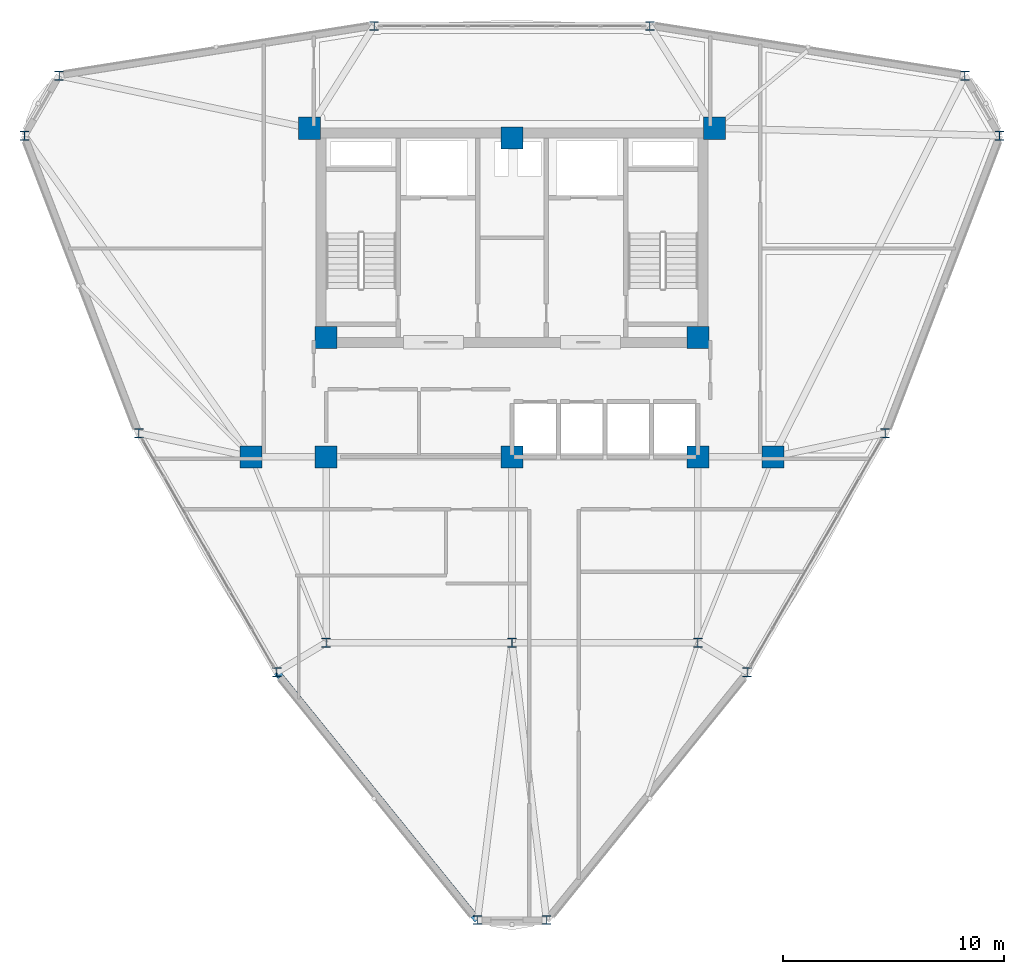
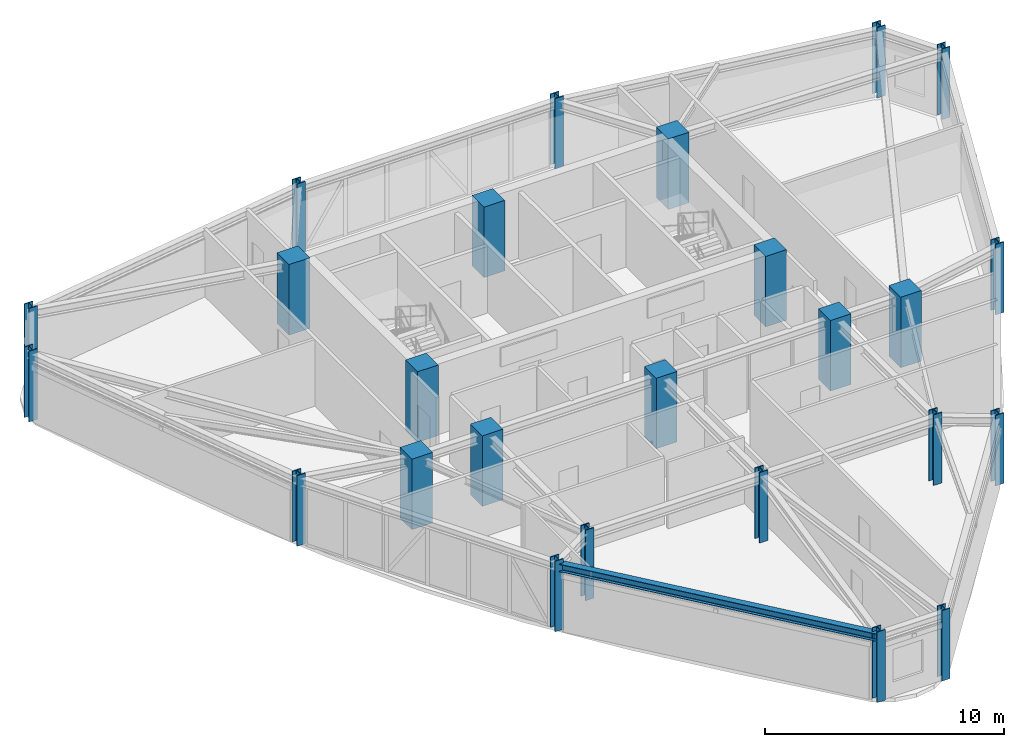
# One storey, part 1 of 14: 25 columns, 1 beam.
"""IFC4 building model written with IfcOpenShell, lengths in metres."""

from ifc_helpers import new_model, si_unit, derived_unit, direction, frame, origin, origin_2d, place, context, subcontext, project, spatial, rectangle, i_section, extrude, source, transform, mapped, material, material_profile, profile_set, type_object, element, save


model = new_model("IFC4")

# Units and contexts
model_context = context("Model", 3, precision=1e-05, world=origin(), true_north=direction((0.0, 1.0)))
body_context = subcontext(model_context, "Body", "Model", "MODEL_VIEW")
ifc_project = project(units=[si_unit("LENGTHUNIT", "METRE"), si_unit("AREAUNIT", "SQUARE_METRE"), si_unit("VOLUMEUNIT", "CUBIC_METRE"), si_unit("PLANEANGLEUNIT", "RADIAN"), si_unit("MASSUNIT", "GRAM", prefix="KILO"), derived_unit("THERMALTRANSMITTANCEUNIT", [(si_unit("POWERUNIT", "WATT"), 1), (si_unit("LENGTHUNIT", "METRE"), -2), (si_unit("THERMODYNAMICTEMPERATUREUNIT", "KELVIN"), -1)])], contexts=[model_context])

# Site, building, storey
site_placement = place(None, origin())
site = spatial("IfcSite", under=ifc_project, at=site_placement, CompositionType="ELEMENT")
building_placement = place(site_placement, origin())
building = spatial("IfcBuilding", under=site, at=building_placement, Name="Korsvarv Bourse and Concert Hall", CompositionType="ELEMENT")
storey_placement = place(building_placement, frame((0.0, 0.0, 190.199951171875)))
storey = spatial("IfcBuildingStorey", under=building, at=storey_placement, Name="L49", CompositionType="ELEMENT", Elevation=190.199951171875)

# Columns
ifc_material_1 = material(Name="Steel S355", Category="steel")
ifc_material_profile_1 = material_profile(ifc_material_1, i_section(OverallWidth=0.412109375, OverallDepth=0.43505859375, WebThickness=0.032958984375, FlangeThickness=0.052978515625, FilletRadius=0.014892578125, at=origin_2d()), Name="HD 400x463")
ifc_profile_set_1 = profile_set([ifc_material_profile_1], Name="Steel S355")
column_type_1 = type_object("IfcColumnType", Name="COL-HD463", PredefinedType="COLUMN", material=ifc_profile_set_1)
shared_shape_1 = source(origin(), body_context, "Body", "SweptSolid", [
    extrude(i_section(OverallWidth=0.412109375, OverallDepth=0.43505859375, WebThickness=0.032958984375, FlangeThickness=0.052978515625, FilletRadius=0.014892578125, at=origin_2d()), origin(), (0.0, 0.0, 1.0), 3.60009765625),
])
for number, where, z_axis, x_axis, name in (
    (1, (27.60009765625, 24.0, 0.0), (0.0, 0.0, 1.0), (1.0, 0.0, 0.0), "L49 column C-09"),
    (2, (44.39990234375, 24.0, 0.0), (0.0, 0.0, 1.0), (1.0, 0.0, 0.0), "L49 column C-09"),
    (3, (36.0, 24.0, 0.0), (0.0, 0.0, 1.0), (1.0, 0.0, 0.0), "L49 column C-09"),
):
    element("IfcColumn", number, at=place(storey_placement, frame(where, z_axis=z_axis, x_axis=x_axis)), inside=storey, type_object=column_type_1, Name=name, PredefinedType="COLUMN", context=body_context, shape_type="MappedRepresentation", body=[
        mapped(shared_shape_1, transform((0.0, 0.0, 0.0), scale=1.0)),
    ])
ifc_material_2 = material(Name="Concrete C55/67", Category="concrete")
ifc_material_profile_2 = material_profile(ifc_material_2, rectangle(XDim=1.0, YDim=1.0, at=origin_2d()), Name="RC 1000x1000")
ifc_profile_set_2 = profile_set([ifc_material_profile_2], Name="Concrete C55/67")
column_type_2 = type_object("IfcColumnType", Name="COL-RC1000", PredefinedType="COLUMN", material=ifc_profile_set_2)
shared_shape_2 = source(origin(), body_context, "Body", "SweptSolid", [
    extrude(rectangle(XDim=1.0, YDim=1.0, at=origin_2d()), origin(), (0.0, 0.0, 1.0), 3.60009765625),
])
for number, where, z_axis, x_axis, name in (
    (4, (26.85009765625, 47.25, 0.0), (0.0, 0.0, 1.0), (1.0, 0.0, 0.0), "L49 column C-03"),
    (5, (45.14990234375, 47.25, 0.0), (0.0, 0.0, 1.0), (1.0, 0.0, 0.0), "L49 column C-03"),
    (6, (27.60009765625, 37.800048828125, 0.0), (0.0, 0.0, 1.0), (1.0, 0.0, 0.0), "L49 column C-03"),
    (7, (44.39990234375, 37.800048828125, 0.0), (0.0, 0.0, 1.0), (1.0, 0.0, 0.0), "L49 column C-03"),
    (8, (27.60009765625, 32.39990234375, 0.0), (0.0, 0.0, 1.0), (1.0, 0.0, 0.0), "L49 column C-03"),
    (9, (44.39990234375, 32.39990234375, 0.0), (0.0, 0.0, 1.0), (1.0, 0.0, 0.0), "L49 column C-03"),
    (10, (36.0, 46.800048828125, 0.0), (0.0, 0.0, 1.0), (1.0, 0.0, 0.0), "L49 column C-03"),
    (11, (36.0, 32.39990234375, 0.0), (0.0, 0.0, 1.0), (1.0, 0.0, 0.0), "L49 column C-03"),
    (12, (24.199951171875, 32.39990234375, 0.0), (0.0, 0.0, 1.0), (1.0, 0.0, 0.0), "L49 column C-03"),
    (13, (47.800048828125, 32.39990234375, 0.0), (0.0, 0.0, 1.0), (1.0, 0.0, 0.0), "L49 column C-03"),
):
    element("IfcColumn", number, at=place(storey_placement, frame(where, z_axis=z_axis, x_axis=x_axis)), inside=storey, type_object=column_type_2, Name=name, PredefinedType="COLUMN", context=body_context, shape_type="MappedRepresentation", body=[
        mapped(shared_shape_2, transform((0.0, 0.0, 0.0), scale=1.0)),
    ])
ifc_material_profile_3 = material_profile(ifc_material_1, i_section(OverallWidth=0.406005859375, OverallDepth=0.416015625, WebThickness=0.027099609375, FlangeThickness=0.0439453125, FilletRadius=0.014892578125, at=origin_2d()), Name="HD 400x382")
ifc_profile_set_3 = profile_set([ifc_material_profile_3], Name="Steel S355")
column_type_3 = type_object("IfcColumnType", Name="COL-HD382", PredefinedType="COLUMN", material=ifc_profile_set_3)
shared_shape_3 = source(origin(), body_context, "Body", "SweptSolid", [
    extrude(i_section(OverallWidth=0.406005859375, OverallDepth=0.416015625, WebThickness=0.027099609375, FlangeThickness=0.0439453125, FilletRadius=0.014892578125, at=origin_2d()), origin(), (0.0, 0.0, 1.0), 3.60009765625),
])
for number, where, z_axis, x_axis, name in (
    (14, (58.0302734375, 46.912353515625, 0.0), (0.0, 0.0, 1.0), (1.0, 0.0, 0.0), "L49 column C-10"),
    (15, (56.465576171875, 49.62255859375, 0.0), (0.0, 0.0, 1.0), (1.0, 0.0, 0.0), "L49 column C-10"),
    (16, (42.233154296875, 51.871826171875, 0.0), (0.0, 0.0, 1.0), (1.0, 0.0, 0.0), "L49 column C-10"),
    (17, (29.766845703125, 51.871826171875, 0.0), (0.0, 0.0, 1.0), (1.0, 0.0, 0.0), "L49 column C-10"),
    (18, (15.534423828125, 49.62255859375, 0.0), (0.0, 0.0, 1.0), (1.0, 0.0, 0.0), "L49 column C-10"),
    (19, (13.9697265625, 46.912353515625, 0.0), (0.0, 0.0, 1.0), (1.0, 0.0, 0.0), "L49 column C-10"),
    (20, (19.13818359375, 33.462158203125, 0.0), (0.0, 0.0, 1.0), (1.0, 0.0, 0.0), "L49 column C-10"),
    (21, (25.37109375, 22.666015625, 0.0), (0.0, 0.0, 1.0), (1.0, 0.0, 0.0), "L49 column C-10"),
    (22, (34.435302734375, 11.465087890625, 0.0), (0.0, 0.0, 1.0), (1.0, 0.0, 0.0), "L49 column C-10"),
    (23, (37.564697265625, 11.465087890625, 0.0), (0.0, 0.0, 1.0), (1.0, 0.0, 0.0), "L49 column C-10"),
    (24, (46.62890625, 22.666015625, 0.0), (0.0, 0.0, 1.0), (1.0, 0.0, 0.0), "L49 column C-10"),
    (25, (52.86181640625, 33.462158203125, 0.0), (0.0, 0.0, 1.0), (1.0, 0.0, 0.0), "L49 column C-10"),
):
    element("IfcColumn", number, at=place(storey_placement, frame(where, z_axis=z_axis, x_axis=x_axis)), inside=storey, type_object=column_type_3, Name=name, PredefinedType="COLUMN", context=body_context, shape_type="MappedRepresentation", body=[
        mapped(shared_shape_3, transform((0.0, 0.0, 0.0), scale=1.0)),
    ])

# Beam
ifc_material_profile_4 = material_profile(ifc_material_1, i_section(OverallWidth=0.300048828125, OverallDepth=0.389892578125, WebThickness=0.010986328125, FlangeThickness=0.01904296875, FilletRadius=0.02099609375, at=origin_2d()), Name="HEA 400")
ifc_profile_set_4 = profile_set([ifc_material_profile_4], Name="Steel S355")
beam_type = type_object("IfcBeamType", Name="BM-HEA400", PredefinedType="BEAM", material=ifc_profile_set_4)
shared_shape_4 = source(origin(), body_context, "Body", "SweptSolid", [
    extrude(i_section(OverallWidth=0.300048828125, OverallDepth=0.389892578125, WebThickness=0.010986328125, FlangeThickness=0.01904296875, FilletRadius=0.02099609375, at=origin_2d()), origin(), (0.0, 0.0, 1.0), 14.408935546875),
])
beam_placement = place(storey_placement, frame((25.37109375, 22.666015625, 3.205078125), z_axis=(0.629063691989, -0.777353762081, 0.0), x_axis=(0.777353762081, 0.629063691989, 0.0)))
element("IfcBeam", 26, at=beam_placement, inside=storey, type_object=beam_type, Name="L49 beam B-11", PredefinedType="BEAM", context=body_context, shape_type="MappedRepresentation", body=[
    mapped(shared_shape_4, transform((0.0, 0.0, 0.0), scale=1.0)),
])

save(model, "model.ifc")
